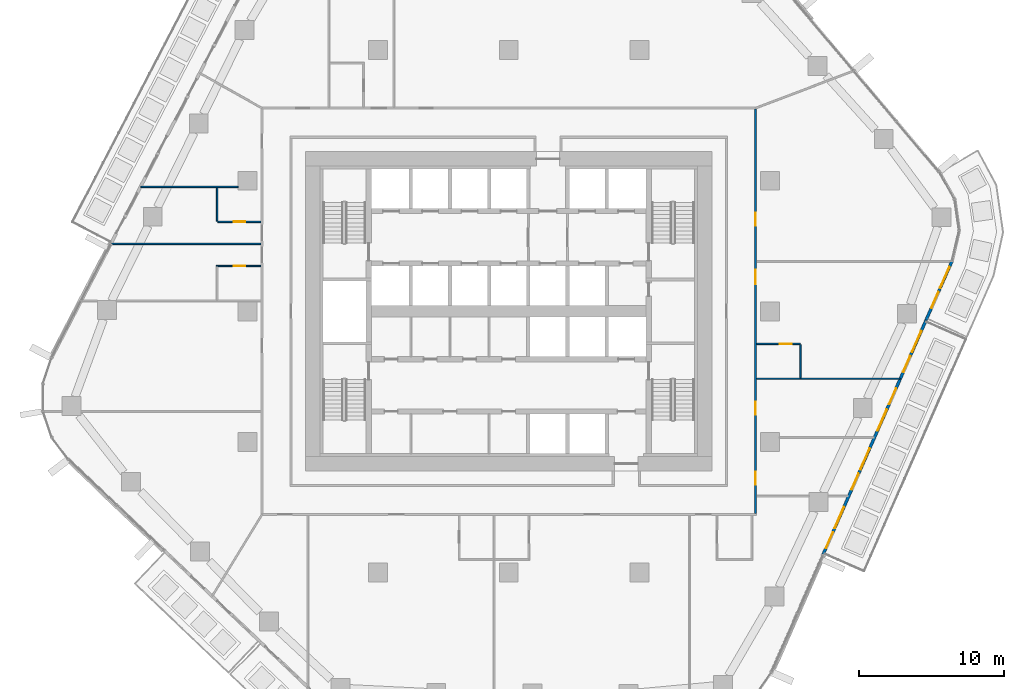
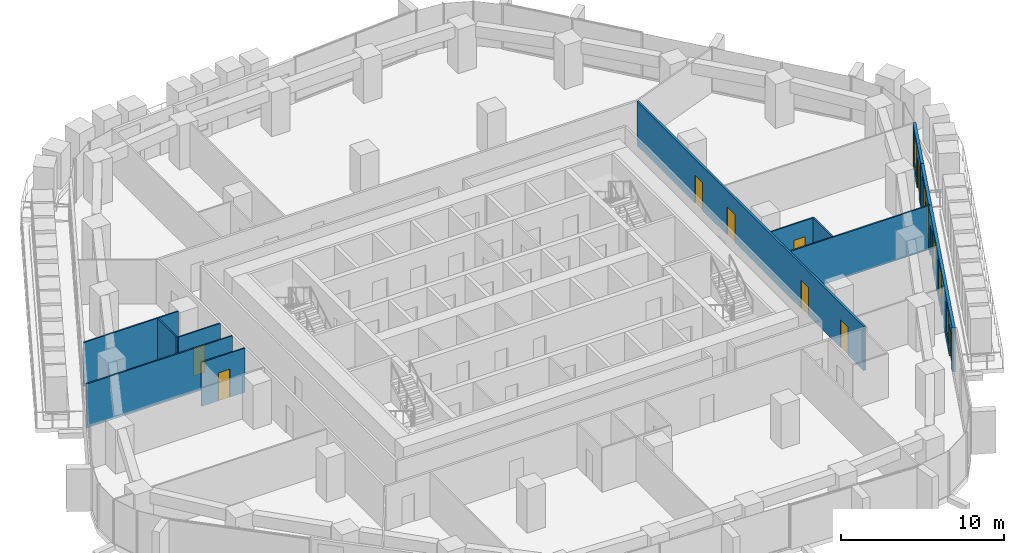
# One storey, part 14 of 23: 12 doors, 11 walls, 5 windows, 17 openings.
"""IFC4 building model written with IfcOpenShell, lengths in metres."""

from ifc_helpers import new_model, si_unit, direction, frame, frame_2d, origin, place, context, subcontext, project, spatial, rectangle, extrude, material, layer, layer_set, type_object, element, fill, save


model = new_model("IFC4")

# Units and contexts
model_context = context("Model", 3, precision=1e-05, world=origin(), true_north=direction((0.0, 1.0)))
body_context = subcontext(model_context, "Body", "Model", "MODEL_VIEW")
ifc_project = project(units=[si_unit("LENGTHUNIT", "METRE"), si_unit("AREAUNIT", "SQUARE_METRE"), si_unit("VOLUMEUNIT", "CUBIC_METRE"), si_unit("PLANEANGLEUNIT", "RADIAN"), si_unit("MASSUNIT", "GRAM", prefix="KILO")], contexts=[model_context])

# Site, building, storey
site_placement = place(None, origin())
site = spatial("IfcSite", under=ifc_project, at=site_placement, CompositionType="ELEMENT")
building_placement = place(site_placement, origin())
building = spatial("IfcBuilding", under=site, at=building_placement, Name="Dongbaek Canopy Tower", CompositionType="ELEMENT")
storey_placement = place(building_placement, frame((0.0, 0.0, 132.199951171875)))
storey = spatial("IfcBuildingStorey", under=building, at=storey_placement, Name="L29", CompositionType="ELEMENT", Elevation=132.199951171875)

# Wall, openings, doors
ifc_material_1 = material(Name="Gypsum board partition, steel stud, 2 x 15 mm fire board", Category="steel")
ifc_layer_1 = layer(ifc_material_1, 0.14990234375)
ifc_layer_set_1 = layer_set([ifc_layer_1], Name="Fire-rated partition 150 gypsum board")
wall_type_1 = type_object("IfcWallType", Name="Fire-rated partition 150 gypsum board", PredefinedType="PARTITIONING", material=ifc_layer_set_1)
wall_1_placement = place(storey_placement, frame((17.0, 13.925048828125, 0.0), z_axis=(0.0, 0.0, 1.0), x_axis=(0.0, -1.0, 0.0)))
wall_1 = element("IfcWall", 1, at=wall_1_placement, inside=storey, type_object=wall_type_1, Name="Corridor partition", PredefinedType="PARTITIONING", context=body_context, shape_type="SweptSolid", body=[
    extrude(rectangle(XDim=27.85009765625, YDim=0.14990234375, at=frame_2d((13.925048828125, 0.0))), origin(), (0.0, 0.0, 1.0), 3.300048828125),
])
opening_1_placement = place(wall_1_placement, frame((24.983154296875, 0.0, 0.0)))
opening_1 = element("IfcOpeningElement", 2, at=opening_1_placement, cuts=wall_1, Name="Opening L29-D009", PredefinedType="OPENING", context=body_context, shape_type="SweptSolid", body=[
    extrude(rectangle(XDim=0.89990234375, YDim=2.10009765625, at=frame_2d((0.449951171875, 1.050048828125))), frame((0.0, 0.0849609375, 0.0), z_axis=(0.0, -1.0, 0.0), x_axis=(1.0, 0.0, 0.0)), (0.0, 0.0, 1.0), 0.169921875),
])
opening_2_placement = place(wall_1_placement, frame((20.143310546875, 0.0, 0.0)))
opening_2 = element("IfcOpeningElement", 3, at=opening_2_placement, cuts=wall_1, Name="Opening L29-D010", PredefinedType="OPENING", context=body_context, shape_type="SweptSolid", body=[
    extrude(rectangle(XDim=0.89990234375, YDim=2.10009765625, at=frame_2d((0.449951171875, 1.050048828125))), frame((0.0, 0.0849609375, 0.0), z_axis=(0.0, -1.0, 0.0), x_axis=(1.0, 0.0, 0.0)), (0.0, 0.0, 1.0), 0.169921875),
])
opening_3_placement = place(wall_1_placement, frame((11.0537109375, 0.0, 0.0)))
opening_3 = element("IfcOpeningElement", 4, at=opening_3_placement, cuts=wall_1, Name="Opening L29-D012", PredefinedType="OPENING", context=body_context, shape_type="SweptSolid", body=[
    extrude(rectangle(XDim=1.0, YDim=2.10009765625, at=frame_2d((0.5, 1.050048828125))), frame((0.0, 0.0849609375, 0.0), z_axis=(0.0, -1.0, 0.0), x_axis=(1.0, 0.0, 0.0)), (0.0, 0.0, 1.0), 0.169921875),
])
opening_4_placement = place(wall_1_placement, frame((7.138671875, 0.0, 0.0)))
opening_4 = element("IfcOpeningElement", 5, at=opening_4_placement, cuts=wall_1, Name="Opening L29-D013", PredefinedType="OPENING", context=body_context, shape_type="SweptSolid", body=[
    extrude(rectangle(XDim=0.89990234375, YDim=2.10009765625, at=frame_2d((0.449951171875, 1.050048828125))), frame((0.0, 0.0849609375, 0.0), z_axis=(0.0, -1.0, 0.0), x_axis=(1.0, 0.0, 0.0)), (0.0, 0.0, 1.0), 0.169921875),
])
ifc_material_2 = material(Name="Timber veneered door leaf", Category="wood")
door_type_1 = type_object("IfcDoorType", Name="Guest room door 1000 x 2100", OperationType="SINGLE_SWING_LEFT", PredefinedType="DOOR", material=ifc_material_2)
door_1_placement = place(opening_3_placement, origin())
door_1 = element("IfcDoor", 6, at=door_1_placement, inside=storey, type_object=door_type_1, Name="Door L29-D012", OperationType="SINGLE_SWING_RIGHT", OverallHeight=2.10009765625, OverallWidth=1.0, PredefinedType="DOOR", context=body_context, shape_type="SweptSolid", body=[
    extrude(rectangle(XDim=1.0, YDim=2.10009765625, at=frame_2d((0.5, 1.050048828125))), frame((0.0, 0.02490234375, 0.0), z_axis=(0.0, -1.0, 0.0), x_axis=(1.0, 0.0, 0.0)), (0.0, 0.0, 1.0), 0.050048828125),
])
fill(opening_3, door_1)
ifc_material_3 = material(Name="Timber veneered door leaf", Category="wood")
door_type_2 = type_object("IfcDoorType", Name="Room door 900 x 2100", OperationType="SINGLE_SWING_LEFT", PredefinedType="DOOR", material=ifc_material_3)
door_2_placement = place(opening_1_placement, origin())
door_2 = element("IfcDoor", 7, at=door_2_placement, inside=storey, type_object=door_type_2, Name="Door L29-D009", OperationType="SINGLE_SWING_RIGHT", OverallHeight=2.10009765625, OverallWidth=0.89990234375, PredefinedType="DOOR", context=body_context, shape_type="SweptSolid", body=[
    extrude(rectangle(XDim=0.89990234375, YDim=2.10009765625, at=frame_2d((0.449951171875, 1.050048828125))), frame((0.0, 0.02490234375, 0.0), z_axis=(0.0, -1.0, 0.0), x_axis=(1.0, 0.0, 0.0)), (0.0, 0.0, 1.0), 0.050048828125),
])
fill(opening_1, door_2)
door_3_placement = place(opening_2_placement, origin())
door_3 = element("IfcDoor", 8, at=door_3_placement, inside=storey, type_object=door_type_2, Name="Door L29-D010", OperationType="SINGLE_SWING_LEFT", OverallHeight=2.10009765625, OverallWidth=0.89990234375, PredefinedType="DOOR", context=body_context, shape_type="SweptSolid", body=[
    extrude(rectangle(XDim=0.89990234375, YDim=2.10009765625, at=frame_2d((0.449951171875, 1.050048828125))), frame((0.0, 0.02490234375, 0.0), z_axis=(0.0, -1.0, 0.0), x_axis=(1.0, 0.0, 0.0)), (0.0, 0.0, 1.0), 0.050048828125),
])
fill(opening_2, door_3)
door_4_placement = place(opening_4_placement, origin())
door_4 = element("IfcDoor", 9, at=door_4_placement, inside=storey, type_object=door_type_2, Name="Door L29-D013", OperationType="SINGLE_SWING_LEFT", OverallHeight=2.10009765625, OverallWidth=0.89990234375, PredefinedType="DOOR", context=body_context, shape_type="SweptSolid", body=[
    extrude(rectangle(XDim=0.89990234375, YDim=2.10009765625, at=frame_2d((0.449951171875, 1.050048828125))), frame((0.0, 0.02490234375, 0.0), z_axis=(0.0, -1.0, 0.0), x_axis=(1.0, 0.0, 0.0)), (0.0, 0.0, 1.0), 0.050048828125),
])
fill(opening_4, door_4)

# Wall
ifc_material_4 = material(Name="Gypsum board partition, steel stud, 2 x 12.5 mm board", Category="steel")
ifc_layer_2 = layer(ifc_material_4, 0.10009765625)
ifc_layer_set_2 = layer_set([ifc_layer_2], Name="Partition 100 gypsum board")
wall_type_2 = type_object("IfcWallType", Name="Partition 100 gypsum board", PredefinedType="PARTITIONING", material=ifc_layer_set_2)
wall_2_placement = place(storey_placement, frame((17.074951171875, -4.64501953125, 0.0), z_axis=(0.0, 0.0, 1.0), x_axis=(1.0, 0.0, 0.0)))
element("IfcWall", 10, at=wall_2_placement, inside=storey, type_object=wall_type_2, Name="Partition", PredefinedType="PARTITIONING", context=body_context, shape_type="SweptSolid", body=[
    extrude(rectangle(XDim=9.885498046875, YDim=0.10009765625, at=frame_2d((4.94287109375, 0.0))), origin(), (0.0, 0.0, 1.0), 3.300048828125),
])

# Wall, opening, door
wall_3_placement = place(storey_placement, frame((20.10009765625, -2.2451171875, 0.0), z_axis=(0.0, 0.0, 1.0), x_axis=(-1.0, 0.0, 0.0)))
wall_3 = element("IfcWall", 11, at=wall_3_placement, inside=storey, type_object=wall_type_2, Name="Partition", PredefinedType="PARTITIONING", context=body_context, shape_type="SweptSolid", body=[
    extrude(rectangle(XDim=3.025146484375, YDim=0.10009765625, at=frame_2d((1.5126953125, 0.0))), origin(), (0.0, 0.0, 1.0), 3.300048828125),
])
opening_5_placement = place(wall_3_placement, frame((0.610107421875, 0.0, 0.0)))
opening_5 = element("IfcOpeningElement", 12, at=opening_5_placement, cuts=wall_3, Name="Opening L29-D011", PredefinedType="OPENING", context=body_context, shape_type="SweptSolid", body=[
    extrude(rectangle(XDim=0.800048828125, YDim=2.10009765625, at=frame_2d((0.39990234375, 1.050048828125))), frame((0.0, 0.06005859375, 0.0), z_axis=(0.0, -1.0, 0.0), x_axis=(1.0, 0.0, 0.0)), (0.0, 0.0, 1.0), 0.1201171875),
])
ifc_material_5 = material(Name="Timber veneered door leaf", Category="wood")
door_type_3 = type_object("IfcDoorType", Name="En-suite door 800 x 2100", OperationType="SINGLE_SWING_LEFT", PredefinedType="DOOR", material=ifc_material_5)
door_5_placement = place(opening_5_placement, origin())
door_5 = element("IfcDoor", 13, at=door_5_placement, inside=storey, type_object=door_type_3, Name="Door L29-D011", OperationType="SINGLE_SWING_LEFT", OverallHeight=2.10009765625, OverallWidth=0.800048828125, PredefinedType="DOOR", context=body_context, shape_type="SweptSolid", body=[
    extrude(rectangle(XDim=0.800048828125, YDim=2.10009765625, at=frame_2d((0.39990234375, 1.050048828125))), frame((0.0, 0.02490234375, 0.0), z_axis=(0.0, -1.0, 0.0), x_axis=(1.0, 0.0, 0.0)), (0.0, 0.0, 1.0), 0.050048828125),
])
fill(opening_5, door_5)

wall_4_placement = place(storey_placement, frame((-17.074951171875, 3.123046875, 0.0), z_axis=(0.0, 0.0, 1.0), x_axis=(-1.0, 0.0, 0.0)))
wall_4 = element("IfcWall", 14, at=wall_4_placement, inside=storey, type_object=wall_type_2, Name="Partition", PredefinedType="PARTITIONING", context=body_context, shape_type="SweptSolid", body=[
    extrude(rectangle(XDim=3.074951171875, YDim=0.10009765625, at=frame_2d((1.53759765625, 0.0))), origin(), (0.0, 0.0, 1.0), 3.300048828125),
])
opening_6_placement = place(wall_4_placement, frame((1.074951171875, 0.0, 0.0)))
opening_6 = element("IfcOpeningElement", 15, at=opening_6_placement, cuts=wall_4, Name="Opening L29-D021", PredefinedType="OPENING", context=body_context, shape_type="SweptSolid", body=[
    extrude(rectangle(XDim=0.800048828125, YDim=2.10009765625, at=frame_2d((0.39990234375, 1.050048828125))), frame((0.0, 0.06005859375, 0.0), z_axis=(0.0, -1.0, 0.0), x_axis=(1.0, 0.0, 0.0)), (0.0, 0.0, 1.0), 0.1201171875),
])
door_6_placement = place(opening_6_placement, origin())
door_6 = element("IfcDoor", 16, at=door_6_placement, inside=storey, type_object=door_type_3, Name="Door L29-D021", OperationType="SINGLE_SWING_RIGHT", OverallHeight=2.10009765625, OverallWidth=0.800048828125, PredefinedType="DOOR", context=body_context, shape_type="SweptSolid", body=[
    extrude(rectangle(XDim=0.800048828125, YDim=2.10009765625, at=frame_2d((0.39990234375, 1.050048828125))), frame((0.0, 0.02490234375, 0.0), z_axis=(0.0, -1.0, 0.0), x_axis=(1.0, 0.0, 0.0)), (0.0, 0.0, 1.0), 0.050048828125),
])
fill(opening_6, door_6)

# Wall
wall_5_placement = place(storey_placement, frame((-27.40185546875, 4.64697265625, 0.0), z_axis=(0.0, 0.0, 1.0), x_axis=(1.0, 0.0, 0.0)))
element("IfcWall", 17, at=wall_5_placement, inside=storey, type_object=wall_type_2, Name="Partition", PredefinedType="PARTITIONING", context=body_context, shape_type="SweptSolid", body=[
    extrude(rectangle(XDim=10.326904296875, YDim=0.10009765625, at=frame_2d((5.16357421875, 0.0))), origin(), (0.0, 0.0, 1.0), 3.300048828125),
])

# Wall, opening, door
wall_6_placement = place(storey_placement, frame((-20.050048828125, 6.169921875, 0.0), z_axis=(0.0, 0.0, 1.0), x_axis=(1.0, 0.0, 0.0)))
wall_6 = element("IfcWall", 18, at=wall_6_placement, inside=storey, type_object=wall_type_2, Name="Partition", PredefinedType="PARTITIONING", context=body_context, shape_type="SweptSolid", body=[
    extrude(rectangle(XDim=2.97509765625, YDim=0.10009765625, at=frame_2d((1.487548828125, 0.0))), origin(), (0.0, 0.0, 1.0), 3.300048828125),
])
opening_7_placement = place(wall_6_placement, frame((1.10009765625, 0.0, 0.0)))
opening_7 = element("IfcOpeningElement", 19, at=opening_7_placement, cuts=wall_6, Name="Opening L29-D019", PredefinedType="OPENING", context=body_context, shape_type="SweptSolid", body=[
    extrude(rectangle(XDim=0.800048828125, YDim=2.10009765625, at=frame_2d((0.39990234375, 1.050048828125))), frame((0.0, 0.06005859375, 0.0), z_axis=(0.0, -1.0, 0.0), x_axis=(1.0, 0.0, 0.0)), (0.0, 0.0, 1.0), 0.1201171875),
])
door_7_placement = place(opening_7_placement, origin())
door_7 = element("IfcDoor", 20, at=door_7_placement, inside=storey, type_object=door_type_3, Name="Door L29-D019", OperationType="SINGLE_SWING_LEFT", OverallHeight=2.10009765625, OverallWidth=0.800048828125, PredefinedType="DOOR", context=body_context, shape_type="SweptSolid", body=[
    extrude(rectangle(XDim=0.800048828125, YDim=2.10009765625, at=frame_2d((0.39990234375, 1.050048828125))), frame((0.0, 0.02490234375, 0.0), z_axis=(0.0, -1.0, 0.0), x_axis=(1.0, 0.0, 0.0)), (0.0, 0.0, 1.0), 0.050048828125),
])
fill(opening_7, door_7)

# Walls
wall_7_placement = place(storey_placement, frame((-25.35888671875, 8.570068359375, 0.0), z_axis=(0.0, 0.0, 1.0), x_axis=(1.0, 0.0, 0.0)))
element("IfcWall", 21, at=wall_7_placement, inside=storey, type_object=wall_type_2, Name="Partition", PredefinedType="PARTITIONING", context=body_context, shape_type="SweptSolid", body=[
    extrude(rectangle(XDim=6.708984375, YDim=0.10009765625, at=frame_2d((3.3544921875, 0.0))), origin(), (0.0, 0.0, 1.0), 3.300048828125),
])
wall_8_placement = place(storey_placement, frame((20.10009765625, -4.594970703125, 0.0), z_axis=(0.0, 0.0, 1.0), x_axis=(0.0, 1.0, 0.0)))
element("IfcWall", 22, at=wall_8_placement, inside=storey, type_object=wall_type_2, Name="Partition", PredefinedType="PARTITIONING", context=body_context, shape_type="SweptSolid", body=[
    extrude(rectangle(XDim=2.2998046875, YDim=0.10009765625, at=frame_2d((1.14990234375, 0.0))), origin(), (0.0, 0.0, 1.0), 3.300048828125),
])
wall_9_placement = place(storey_placement, frame((-20.10009765625, 6.219482421875, 0.0), z_axis=(0.0, 0.0, 1.0), x_axis=(0.0, 1.0, 0.0)))
element("IfcWall", 23, at=wall_9_placement, inside=storey, type_object=wall_type_2, Name="Partition", PredefinedType="PARTITIONING", context=body_context, shape_type="SweptSolid", body=[
    extrude(rectangle(XDim=2.300048828125, YDim=0.10009765625, at=frame_2d((1.14990234375, 0.0))), origin(), (0.0, 0.0, 1.0), 3.300048828125),
])

# Wall, openings, doors, windows
ifc_material_6 = material(Name="Aluminium window wall", Category="aluminium")
ifc_layer_3 = layer(ifc_material_6, 0.199951171875)
ifc_layer_set_3 = layer_set([ifc_layer_3], Name="Window wall 200")
wall_type_3 = type_object("IfcWallType", Name="Window wall 200", PredefinedType="SOLIDWALL", material=ifc_layer_set_3)
wall_10_placement = place(storey_placement, frame((21.650390625, -16.783447265625, 0.0), z_axis=(0.0, 0.0, 1.0), x_axis=(0.402171088909, 0.915564533633, 0.0)))
wall_10 = element("IfcWall", 24, at=wall_10_placement, inside=storey, type_object=wall_type_3, Name="Window wall L29 4", PredefinedType="SOLIDWALL", context=body_context, shape_type="SweptSolid", body=[
    extrude(rectangle(XDim=17.677001953125, YDim=0.199951171875, at=frame_2d((8.83837890625, 0.0))), origin(), (0.0, 0.0, 1.0), 3.300048828125),
])
opening_8_placement = place(wall_10_placement, frame((2.0, 0.0, 0.60009765625)))
opening_8 = element("IfcOpeningElement", 25, at=opening_8_placement, cuts=wall_10, Name="Opening W1", PredefinedType="OPENING", context=body_context, shape_type="SweptSolid", body=[
    extrude(rectangle(XDim=1.60009765625, YDim=2.39990234375, at=frame_2d((0.800048828125, 1.199951171875))), frame((0.0, 0.10986328125, 0.0), z_axis=(0.0, -1.0, 0.0), x_axis=(1.0, 0.0, 0.0)), (0.0, 0.0, 1.0), 0.219970703125),
])
opening_9_placement = place(wall_10_placement, frame((0.5, 0.0, 0.0)))
opening_9 = element("IfcOpeningElement", 26, at=opening_9_placement, cuts=wall_10, Name="Opening L29-B12", PredefinedType="OPENING", context=body_context, shape_type="SweptSolid", body=[
    extrude(rectangle(XDim=1.199951171875, YDim=2.39990234375, at=frame_2d((0.60009765625, 1.199951171875))), frame((0.0, 0.10986328125, 0.0), z_axis=(0.0, -1.0, 0.0), x_axis=(1.0, 0.0, 0.0)), (0.0, 0.0, 1.0), 0.219970703125),
])
opening_10_placement = place(wall_10_placement, frame((6.419189453125, 0.0, 0.60009765625)))
opening_10 = element("IfcOpeningElement", 27, at=opening_10_placement, cuts=wall_10, Name="Opening W1", PredefinedType="OPENING", context=body_context, shape_type="SweptSolid", body=[
    extrude(rectangle(XDim=1.60009765625, YDim=2.39990234375, at=frame_2d((0.800048828125, 1.199951171875))), frame((0.0, 0.10986328125, 0.0), z_axis=(0.0, -1.0, 0.0), x_axis=(1.0, 0.0, 0.0)), (0.0, 0.0, 1.0), 0.219970703125),
])
opening_11_placement = place(wall_10_placement, frame((4.919189453125, 0.0, 0.0)))
opening_11 = element("IfcOpeningElement", 28, at=opening_11_placement, cuts=wall_10, Name="Opening L29-B13", PredefinedType="OPENING", context=body_context, shape_type="SweptSolid", body=[
    extrude(rectangle(XDim=1.199951171875, YDim=2.39990234375, at=frame_2d((0.60009765625, 1.199951171875))), frame((0.0, 0.10986328125, 0.0), z_axis=(0.0, -1.0, 0.0), x_axis=(1.0, 0.0, 0.0)), (0.0, 0.0, 1.0), 0.219970703125),
])
opening_12_placement = place(wall_10_placement, frame((9.33837890625, 0.0, 0.60009765625)))
opening_12 = element("IfcOpeningElement", 29, at=opening_12_placement, cuts=wall_10, Name="Opening W1", PredefinedType="OPENING", context=body_context, shape_type="SweptSolid", body=[
    extrude(rectangle(XDim=1.60009765625, YDim=2.39990234375, at=frame_2d((0.800048828125, 1.199951171875))), frame((0.0, 0.10986328125, 0.0), z_axis=(0.0, -1.0, 0.0), x_axis=(1.0, 0.0, 0.0)), (0.0, 0.0, 1.0), 0.219970703125),
])
opening_13_placement = place(wall_10_placement, frame((11.33837890625, 0.0, 0.0)))
opening_13 = element("IfcOpeningElement", 30, at=opening_13_placement, cuts=wall_10, Name="Opening L29-B14", PredefinedType="OPENING", context=body_context, shape_type="SweptSolid", body=[
    extrude(rectangle(XDim=1.199951171875, YDim=2.39990234375, at=frame_2d((0.60009765625, 1.199951171875))), frame((0.0, 0.10986328125, 0.0), z_axis=(0.0, -1.0, 0.0), x_axis=(1.0, 0.0, 0.0)), (0.0, 0.0, 1.0), 0.219970703125),
])
opening_14_placement = place(wall_10_placement, frame((15.257568359375, 0.0, 0.60009765625)))
opening_14 = element("IfcOpeningElement", 31, at=opening_14_placement, cuts=wall_10, Name="Opening W1", PredefinedType="OPENING", context=body_context, shape_type="SweptSolid", body=[
    extrude(rectangle(XDim=1.60009765625, YDim=2.39990234375, at=frame_2d((0.800048828125, 1.199951171875))), frame((0.0, 0.10986328125, 0.0), z_axis=(0.0, -1.0, 0.0), x_axis=(1.0, 0.0, 0.0)), (0.0, 0.0, 1.0), 0.219970703125),
])
opening_15_placement = place(wall_10_placement, frame((13.757568359375, 0.0, 0.0)))
opening_15 = element("IfcOpeningElement", 32, at=opening_15_placement, cuts=wall_10, Name="Opening L29-B15", PredefinedType="OPENING", context=body_context, shape_type="SweptSolid", body=[
    extrude(rectangle(XDim=1.199951171875, YDim=2.39990234375, at=frame_2d((0.60009765625, 1.199951171875))), frame((0.0, 0.10986328125, 0.0), z_axis=(0.0, -1.0, 0.0), x_axis=(1.0, 0.0, 0.0)), (0.0, 0.0, 1.0), 0.219970703125),
])
ifc_material_7 = material(Name="Clear glazing in aluminium frame", Category="aluminium")
door_type_4 = type_object("IfcDoorType", Name="Balcony door BD1 1200 x 2400", OperationType="SLIDING_TO_LEFT", PredefinedType="DOOR", material=ifc_material_7)
door_8_placement = place(opening_9_placement, origin())
door_8 = element("IfcDoor", 33, at=door_8_placement, inside=storey, type_object=door_type_4, Name="Balcony door L29-B12", OperationType="SLIDING_TO_LEFT", OverallHeight=2.39990234375, OverallWidth=1.199951171875, PredefinedType="DOOR", context=body_context, shape_type="SweptSolid", body=[
    extrude(rectangle(XDim=1.199951171875, YDim=2.39990234375, at=frame_2d((0.60009765625, 1.199951171875))), frame((0.0, 0.02490234375, 0.0), z_axis=(0.0, -1.0, 0.0), x_axis=(1.0, 0.0, 0.0)), (0.0, 0.0, 1.0), 0.050048828125),
])
fill(opening_9, door_8)
door_9_placement = place(opening_11_placement, origin())
door_9 = element("IfcDoor", 34, at=door_9_placement, inside=storey, type_object=door_type_4, Name="Balcony door L29-B13", OperationType="SLIDING_TO_LEFT", OverallHeight=2.39990234375, OverallWidth=1.199951171875, PredefinedType="DOOR", context=body_context, shape_type="SweptSolid", body=[
    extrude(rectangle(XDim=1.199951171875, YDim=2.39990234375, at=frame_2d((0.60009765625, 1.199951171875))), frame((0.0, 0.02490234375, 0.0), z_axis=(0.0, -1.0, 0.0), x_axis=(1.0, 0.0, 0.0)), (0.0, 0.0, 1.0), 0.050048828125),
])
fill(opening_11, door_9)
door_10_placement = place(opening_13_placement, origin())
door_10 = element("IfcDoor", 35, at=door_10_placement, inside=storey, type_object=door_type_4, Name="Balcony door L29-B14", OperationType="SLIDING_TO_LEFT", OverallHeight=2.39990234375, OverallWidth=1.199951171875, PredefinedType="DOOR", context=body_context, shape_type="SweptSolid", body=[
    extrude(rectangle(XDim=1.199951171875, YDim=2.39990234375, at=frame_2d((0.60009765625, 1.199951171875))), frame((0.0, 0.02490234375, 0.0), z_axis=(0.0, -1.0, 0.0), x_axis=(1.0, 0.0, 0.0)), (0.0, 0.0, 1.0), 0.050048828125),
])
fill(opening_13, door_10)
door_11_placement = place(opening_15_placement, origin())
door_11 = element("IfcDoor", 36, at=door_11_placement, inside=storey, type_object=door_type_4, Name="Balcony door L29-B15", OperationType="SLIDING_TO_LEFT", OverallHeight=2.39990234375, OverallWidth=1.199951171875, PredefinedType="DOOR", context=body_context, shape_type="SweptSolid", body=[
    extrude(rectangle(XDim=1.199951171875, YDim=2.39990234375, at=frame_2d((0.60009765625, 1.199951171875))), frame((0.0, 0.02490234375, 0.0), z_axis=(0.0, -1.0, 0.0), x_axis=(1.0, 0.0, 0.0)), (0.0, 0.0, 1.0), 0.050048828125),
])
fill(opening_15, door_11)
ifc_material_8 = material(Name="Clear glazing in aluminium frame", Category="aluminium")
window_type = type_object("IfcWindowType", Name="Window W1 1600 x 2400", PartitioningType="SINGLE_PANEL", PredefinedType="WINDOW", material=ifc_material_8)
window_1_placement = place(opening_8_placement, origin())
window_1 = element("IfcWindow", 37, at=window_1_placement, inside=storey, type_object=window_type, Name="Window L29 4.1", OverallHeight=2.39990234375, OverallWidth=1.60009765625, PartitioningType="SINGLE_PANEL", PredefinedType="WINDOW", context=body_context, shape_type="SweptSolid", body=[
    extrude(rectangle(XDim=1.60009765625, YDim=2.39990234375, at=frame_2d((0.800048828125, 1.199951171875))), frame((0.0, 0.030029296875, 0.0), z_axis=(0.0, -1.0, 0.0), x_axis=(1.0, 0.0, 0.0)), (0.0, 0.0, 1.0), 0.06005859375),
])
fill(opening_8, window_1)
window_2_placement = place(opening_10_placement, origin())
window_2 = element("IfcWindow", 38, at=window_2_placement, inside=storey, type_object=window_type, Name="Window L29 4.2", OverallHeight=2.39990234375, OverallWidth=1.60009765625, PartitioningType="SINGLE_PANEL", PredefinedType="WINDOW", context=body_context, shape_type="SweptSolid", body=[
    extrude(rectangle(XDim=1.60009765625, YDim=2.39990234375, at=frame_2d((0.800048828125, 1.199951171875))), frame((0.0, 0.030029296875, 0.0), z_axis=(0.0, -1.0, 0.0), x_axis=(1.0, 0.0, 0.0)), (0.0, 0.0, 1.0), 0.06005859375),
])
fill(opening_10, window_2)
window_3_placement = place(opening_12_placement, origin())
window_3 = element("IfcWindow", 39, at=window_3_placement, inside=storey, type_object=window_type, Name="Window L29 4.3", OverallHeight=2.39990234375, OverallWidth=1.60009765625, PartitioningType="SINGLE_PANEL", PredefinedType="WINDOW", context=body_context, shape_type="SweptSolid", body=[
    extrude(rectangle(XDim=1.60009765625, YDim=2.39990234375, at=frame_2d((0.800048828125, 1.199951171875))), frame((0.0, 0.030029296875, 0.0), z_axis=(0.0, -1.0, 0.0), x_axis=(1.0, 0.0, 0.0)), (0.0, 0.0, 1.0), 0.06005859375),
])
fill(opening_12, window_3)
window_4_placement = place(opening_14_placement, origin())
window_4 = element("IfcWindow", 40, at=window_4_placement, inside=storey, type_object=window_type, Name="Window L29 4.4", OverallHeight=2.39990234375, OverallWidth=1.60009765625, PartitioningType="SINGLE_PANEL", PredefinedType="WINDOW", context=body_context, shape_type="SweptSolid", body=[
    extrude(rectangle(XDim=1.60009765625, YDim=2.39990234375, at=frame_2d((0.800048828125, 1.199951171875))), frame((0.0, 0.030029296875, 0.0), z_axis=(0.0, -1.0, 0.0), x_axis=(1.0, 0.0, 0.0)), (0.0, 0.0, 1.0), 0.06005859375),
])
fill(opening_14, window_4)

# Wall, openings, door, window
wall_11_placement = place(storey_placement, frame((28.759521484375, -0.59912109375, 0.0), z_axis=(0.0, 0.0, 1.0), x_axis=(0.402194955318, 0.915554049697, 0.0)))
wall_11 = element("IfcWall", 41, at=wall_11_placement, inside=storey, type_object=wall_type_3, Name="Window wall L29 5", PredefinedType="SOLIDWALL", context=body_context, shape_type="SweptSolid", body=[
    extrude(rectangle(XDim=4.409912109375, YDim=0.199951171875, at=frame_2d((2.205078125, 0.0))), origin(), (0.0, 0.0, 1.0), 3.300048828125),
])
opening_16_placement = place(wall_11_placement, frame((2.39990234375, 0.0, 0.60009765625)))
opening_16 = element("IfcOpeningElement", 42, at=opening_16_placement, cuts=wall_11, Name="Opening W1", PredefinedType="OPENING", context=body_context, shape_type="SweptSolid", body=[
    extrude(rectangle(XDim=1.60009765625, YDim=2.39990234375, at=frame_2d((0.800048828125, 1.199951171875))), frame((0.0, 0.10986328125, 0.0), z_axis=(0.0, -1.0, 0.0), x_axis=(1.0, 0.0, 0.0)), (0.0, 0.0, 1.0), 0.219970703125),
])
opening_17_placement = place(wall_11_placement, frame((0.89990234375, 0.0, 0.0)))
opening_17 = element("IfcOpeningElement", 43, at=opening_17_placement, cuts=wall_11, Name="Opening L29-B16", PredefinedType="OPENING", context=body_context, shape_type="SweptSolid", body=[
    extrude(rectangle(XDim=1.199951171875, YDim=2.39990234375, at=frame_2d((0.60009765625, 1.199951171875))), frame((0.0, 0.10986328125, 0.0), z_axis=(0.0, -1.0, 0.0), x_axis=(1.0, 0.0, 0.0)), (0.0, 0.0, 1.0), 0.219970703125),
])
door_12_placement = place(opening_17_placement, origin())
door_12 = element("IfcDoor", 44, at=door_12_placement, inside=storey, type_object=door_type_4, Name="Balcony door L29-B16", OperationType="SLIDING_TO_LEFT", OverallHeight=2.39990234375, OverallWidth=1.199951171875, PredefinedType="DOOR", context=body_context, shape_type="SweptSolid", body=[
    extrude(rectangle(XDim=1.199951171875, YDim=2.39990234375, at=frame_2d((0.60009765625, 1.199951171875))), frame((0.0, 0.02490234375, 0.0), z_axis=(0.0, -1.0, 0.0), x_axis=(1.0, 0.0, 0.0)), (0.0, 0.0, 1.0), 0.050048828125),
])
fill(opening_17, door_12)
window_5_placement = place(opening_16_placement, origin())
window_5 = element("IfcWindow", 45, at=window_5_placement, inside=storey, type_object=window_type, Name="Window L29 5.1", OverallHeight=2.39990234375, OverallWidth=1.60009765625, PartitioningType="SINGLE_PANEL", PredefinedType="WINDOW", context=body_context, shape_type="SweptSolid", body=[
    extrude(rectangle(XDim=1.60009765625, YDim=2.39990234375, at=frame_2d((0.800048828125, 1.199951171875))), frame((0.0, 0.030029296875, 0.0), z_axis=(0.0, -1.0, 0.0), x_axis=(1.0, 0.0, 0.0)), (0.0, 0.0, 1.0), 0.06005859375),
])
fill(opening_16, window_5)

save(model, "model.ifc")
